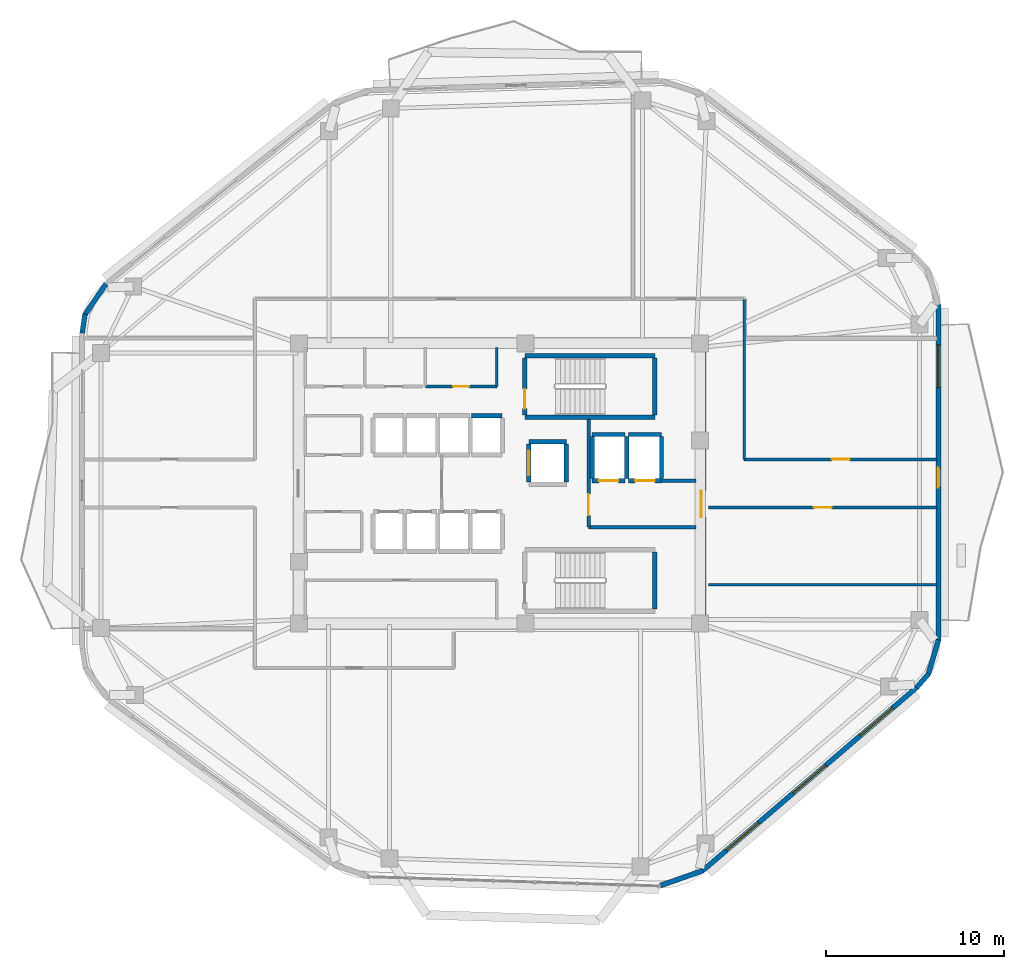
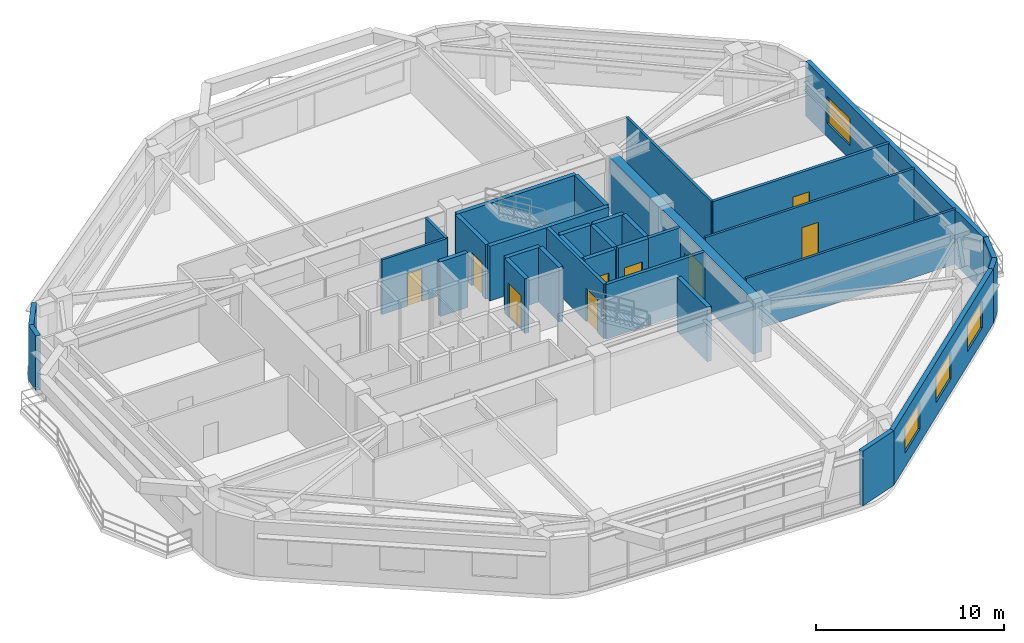
# One storey, part 9 of 12: 33 walls, 10 doors, 4 windows, 14 openings.
"""IFC4 building model written with IfcOpenShell, lengths in metres."""

from ifc_helpers import new_model, si_unit, direction, frame, frame_2d, origin, place, context, subcontext, project, spatial, rectangle, extrude, material, layer, layer_set, type_object, element, fill, save


model = new_model("IFC4")

# Units and contexts
model_context = context("Model", 3, precision=1e-05, world=origin(), true_north=direction((0.0, 1.0)))
body_context = subcontext(model_context, "Body", "Model", "MODEL_VIEW")
ifc_project = project(units=[si_unit("LENGTHUNIT", "METRE"), si_unit("AREAUNIT", "SQUARE_METRE"), si_unit("VOLUMEUNIT", "CUBIC_METRE"), si_unit("PLANEANGLEUNIT", "RADIAN"), si_unit("MASSUNIT", "GRAM", prefix="KILO")], contexts=[model_context])

# Site, building, storey
site_placement = place(None, origin())
site = spatial("IfcSite", under=ifc_project, at=site_placement, CompositionType="ELEMENT")
building_placement = place(site_placement, origin())
building = spatial("IfcBuilding", under=site, at=building_placement, Name="Zulverin Broadcast Headquarters", CompositionType="ELEMENT")
storey_placement = place(building_placement, frame((0.0, 0.0, 185.800048828125)))
storey = spatial("IfcBuildingStorey", under=building, at=storey_placement, Name="L47", CompositionType="ELEMENT", Elevation=185.800048828125)

# Wall, opening, door
ifc_material_1 = material(Name="Concrete C60/75", Category="concrete")
ifc_layer_1 = layer(ifc_material_1, 0.550048828125, Name="Concrete C60/75", Category="concrete")
ifc_layer_set_1 = layer_set([ifc_layer_1], Name="Concrete C60/75")
wall_type_1 = type_object("IfcWallType", Name="WL-CORE-550", PredefinedType="SHEAR", material=ifc_layer_set_1)
wall_1_placement = place(storey_placement, frame((48.324951171875, 17.550048828125, 0.0), z_axis=(0.0, 0.0, 1.0), x_axis=(0.0, 1.0, 0.0)))
wall_1 = element("IfcWall", 1, at=wall_1_placement, inside=storey, type_object=wall_type_1, Name="L47 Core East Shear Wall", PredefinedType="SHEAR", context=body_context, shape_type="SweptSolid", body=[
    extrude(rectangle(XDim=15.300048828125, YDim=0.550048828125, at=frame_2d((7.64990234375, 0.0))), origin(), (0.0, 0.0, 1.0), 3.5400390625),
])
opening_1_placement = place(wall_1_placement, frame((5.75, 0.0, 0.0)))
opening_1 = element("IfcOpeningElement", 2, at=opening_1_placement, cuts=wall_1, Name="Opening D-L47-CE1", PredefinedType="OPENING", context=body_context, shape_type="SweptSolid", body=[
    extrude(rectangle(XDim=1.5, YDim=2.14990234375, at=frame_2d((0.75, 1.074951171875))), frame((0.0, 0.284912109375, 0.0), z_axis=(0.0, -1.0, 0.0), x_axis=(1.0, 0.0, 0.0)), (0.0, 0.0, 1.0), 0.570068359375),
])
ifc_material_2 = material(Name="Fire-rated glazed steel frame", Category="steel")
door_type_1 = type_object("IfcDoorType", Name="DR-COR-1500", OperationType="DOUBLE_DOOR_SINGLE_SWING", PredefinedType="DOOR", material=ifc_material_2)
door_1_placement = place(opening_1_placement, origin())
door_1 = element("IfcDoor", 3, at=door_1_placement, inside=storey, type_object=door_type_1, Name="L47 Firefighting Lobby East Corridor Door", OperationType="DOUBLE_DOOR_SINGLE_SWING", OverallHeight=2.14990234375, OverallWidth=1.5, PredefinedType="DOOR", context=body_context, shape_type="SweptSolid", body=[
    extrude(rectangle(XDim=1.5, YDim=2.14990234375, at=frame_2d((0.75, 1.074951171875))), frame((0.0, 0.02490234375, 0.0), z_axis=(0.0, -1.0, 0.0), x_axis=(1.0, 0.0, 0.0)), (0.0, 0.0, 1.0), 0.050048828125),
])
fill(opening_1, door_1)

# Wall, openings, windows
ifc_material_3 = material(Name="Insulated pale-metal clad concrete spandrel C40/50", Category="concrete")
ifc_layer_2 = layer(ifc_material_3, 0.280029296875, Name="Insulated pale-metal clad concrete spandrel C40/50", Category="concrete")
ifc_layer_set_2 = layer_set([ifc_layer_2], Name="Insulated pale-metal clad concrete spandrel C40/50")
wall_type_2 = type_object("IfcWallType", Name="WL-EXT-280", PredefinedType="STANDARD", material=ifc_layer_set_2)
wall_2_placement = place(storey_placement, frame((48.38525390625, 3.413818359375, 0.0), z_axis=(0.0, 0.0, 1.0), x_axis=(0.759700260779, 0.650273414628, 0.0)))
wall_2 = element("IfcWall", 4, at=wall_2_placement, inside=storey, type_object=wall_type_2, Name="L47 Pale-Metal Clad Spandrel Wall 2", PredefinedType="STANDARD", context=body_context, shape_type="SweptSolid", body=[
    extrude(rectangle(XDim=15.880859375, YDim=0.280029296875, at=frame_2d((7.9404296875, 0.0))), origin(), (0.0, 0.0, 1.0), 3.5400390625),
])
opening_2_placement = place(wall_2_placement, frame((1.780029296875, 0.0, 0.89990234375)))
opening_2 = element("IfcOpeningElement", 5, at=opening_2_placement, cuts=wall_2, Name="Opening W-L47-E21", PredefinedType="OPENING", context=body_context, shape_type="SweptSolid", body=[
    extrude(rectangle(XDim=2.39990234375, YDim=1.75, at=frame_2d((1.199951171875, 0.875))), frame((0.0, 0.14990234375, 0.0), z_axis=(0.0, -1.0, 0.0), x_axis=(1.0, 0.0, 0.0)), (0.0, 0.0, 1.0), 0.300048828125),
])
opening_3_placement = place(wall_2_placement, frame((6.740478515625, 0.0, 0.89990234375)))
opening_3 = element("IfcOpeningElement", 6, at=opening_3_placement, cuts=wall_2, Name="Opening W-L47-E22", PredefinedType="OPENING", context=body_context, shape_type="SweptSolid", body=[
    extrude(rectangle(XDim=2.39990234375, YDim=1.75, at=frame_2d((1.199951171875, 0.875))), frame((0.0, 0.14990234375, 0.0), z_axis=(0.0, -1.0, 0.0), x_axis=(1.0, 0.0, 0.0)), (0.0, 0.0, 1.0), 0.300048828125),
])
opening_4_placement = place(wall_2_placement, frame((11.70068359375, 0.0, 0.89990234375)))
opening_4 = element("IfcOpeningElement", 7, at=opening_4_placement, cuts=wall_2, Name="Opening W-L47-E23", PredefinedType="OPENING", context=body_context, shape_type="SweptSolid", body=[
    extrude(rectangle(XDim=2.39990234375, YDim=1.75, at=frame_2d((1.199951171875, 0.875))), frame((0.0, 0.14990234375, 0.0), z_axis=(0.0, -1.0, 0.0), x_axis=(1.0, 0.0, 0.0)), (0.0, 0.0, 1.0), 0.300048828125),
])
ifc_material_4 = material(Name="Pale anodized aluminium frame with solar-control low-E double glazing", Category="aluminium")
window_type = type_object("IfcWindowType", Name="WIN-RIB-2400", PartitioningType="SINGLE_PANEL", PredefinedType="WINDOW", material=ifc_material_4)
window_1_placement = place(opening_2_placement, origin())
window_1 = element("IfcWindow", 8, at=window_1_placement, inside=storey, type_object=window_type, Name="L47 Ribbon Glazing Window 2 1", OverallHeight=1.75, OverallWidth=2.39990234375, PartitioningType="SINGLE_PANEL", PredefinedType="WINDOW", context=body_context, shape_type="SweptSolid", body=[
    extrude(rectangle(XDim=2.39990234375, YDim=1.75, at=frame_2d((1.199951171875, 0.875))), frame((0.0, 0.030029296875, 0.0), z_axis=(0.0, -1.0, 0.0), x_axis=(1.0, 0.0, 0.0)), (0.0, 0.0, 1.0), 0.06005859375),
])
fill(opening_2, window_1)
window_2_placement = place(opening_3_placement, origin())
window_2 = element("IfcWindow", 9, at=window_2_placement, inside=storey, type_object=window_type, Name="L47 Ribbon Glazing Window 2 2", OverallHeight=1.75, OverallWidth=2.39990234375, PartitioningType="SINGLE_PANEL", PredefinedType="WINDOW", context=body_context, shape_type="SweptSolid", body=[
    extrude(rectangle(XDim=2.39990234375, YDim=1.75, at=frame_2d((1.199951171875, 0.875))), frame((0.0, 0.030029296875, 0.0), z_axis=(0.0, -1.0, 0.0), x_axis=(1.0, 0.0, 0.0)), (0.0, 0.0, 1.0), 0.06005859375),
])
fill(opening_3, window_2)
window_3_placement = place(opening_4_placement, origin())
window_3 = element("IfcWindow", 10, at=window_3_placement, inside=storey, type_object=window_type, Name="L47 Ribbon Glazing Window 2 3", OverallHeight=1.75, OverallWidth=2.39990234375, PartitioningType="SINGLE_PANEL", PredefinedType="WINDOW", context=body_context, shape_type="SweptSolid", body=[
    extrude(rectangle(XDim=2.39990234375, YDim=1.75, at=frame_2d((1.199951171875, 0.875))), frame((0.0, 0.030029296875, 0.0), z_axis=(0.0, -1.0, 0.0), x_axis=(1.0, 0.0, 0.0)), (0.0, 0.0, 1.0), 0.06005859375),
])
fill(opening_4, window_3)

# Wall, openings, door, window
wall_3_placement = place(storey_placement, frame((61.659912109375, 16.369384765625, 0.0), z_axis=(0.0, 0.0, 1.0), x_axis=(0.0, 1.0, 0.0)))
wall_3 = element("IfcWall", 11, at=wall_3_placement, inside=storey, type_object=wall_type_2, Name="L47 Pale-Metal Clad Spandrel Wall 3", PredefinedType="STANDARD", context=body_context, shape_type="SweptSolid", body=[
    extrude(rectangle(XDim=18.902099609375, YDim=0.280029296875, at=frame_2d((9.451171875, 0.0))), origin(), (0.0, 0.0, 1.0), 3.5400390625),
])
opening_5_placement = place(wall_3_placement, frame((8.60107421875, 0.0, 0.0)))
opening_5 = element("IfcOpeningElement", 12, at=opening_5_placement, cuts=wall_3, Name="Opening D-L47-TR3", PredefinedType="OPENING", context=body_context, shape_type="SweptSolid", body=[
    extrude(rectangle(XDim=1.10009765625, YDim=2.199951171875, at=frame_2d((0.550048828125, 1.10009765625))), frame((0.0, 0.14990234375, 0.0), z_axis=(0.0, -1.0, 0.0), x_axis=(1.0, 0.0, 0.0)), (0.0, 0.0, 1.0), 0.300048828125),
])
opening_6_placement = place(wall_3_placement, frame((14.218505859375, 0.0, 0.89990234375)))
opening_6 = element("IfcOpeningElement", 13, at=opening_6_placement, cuts=wall_3, Name="Opening W-L47-E31", PredefinedType="OPENING", context=body_context, shape_type="SweptSolid", body=[
    extrude(rectangle(XDim=2.39990234375, YDim=1.75, at=frame_2d((1.199951171875, 0.875))), frame((0.0, 0.14990234375, 0.0), z_axis=(0.0, -1.0, 0.0), x_axis=(1.0, 0.0, 0.0)), (0.0, 0.0, 1.0), 0.300048828125),
])
ifc_material_5 = material(Name="Thermally broken aluminium glazed", Category="aluminium")
door_type_2 = type_object("IfcDoorType", Name="DR-TERR-1100", OperationType="SINGLE_SWING_RIGHT", PredefinedType="DOOR", material=ifc_material_5)
door_2_placement = place(opening_5_placement, origin())
door_2 = element("IfcDoor", 14, at=door_2_placement, inside=storey, type_object=door_type_2, Name="L47 Planted Terrace Glazed Access Door 3", OperationType="SINGLE_SWING_RIGHT", OverallHeight=2.199951171875, OverallWidth=1.10009765625, PredefinedType="DOOR", context=body_context, shape_type="SweptSolid", body=[
    extrude(rectangle(XDim=1.10009765625, YDim=2.199951171875, at=frame_2d((0.550048828125, 1.10009765625))), frame((0.0, 0.02490234375, 0.0), z_axis=(0.0, -1.0, 0.0), x_axis=(1.0, 0.0, 0.0)), (0.0, 0.0, 1.0), 0.050048828125),
])
fill(opening_5, door_2)
window_4_placement = place(opening_6_placement, origin())
window_4 = element("IfcWindow", 15, at=window_4_placement, inside=storey, type_object=window_type, Name="L47 Ribbon Glazing Window 3 1", OverallHeight=1.75, OverallWidth=2.39990234375, PartitioningType="SINGLE_PANEL", PredefinedType="WINDOW", context=body_context, shape_type="SweptSolid", body=[
    extrude(rectangle(XDim=2.39990234375, YDim=1.75, at=frame_2d((1.199951171875, 0.875))), frame((0.0, 0.030029296875, 0.0), z_axis=(0.0, -1.0, 0.0), x_axis=(1.0, 0.0, 0.0)), (0.0, 0.0, 1.0), 0.06005859375),
])
fill(opening_6, window_4)

# Walls
wall_4_placement = place(storey_placement, frame((46.035888671875, 2.597900390625, 0.0), z_axis=(0.0, 0.0, 1.0), x_axis=(0.943369834473, 0.331742905585, 0.0)))
element("IfcWall", 16, at=wall_4_placement, inside=storey, type_object=wall_type_2, Name="L47 Wind-Shaped Corner Spandrel Wall 1-1", PredefinedType="STANDARD", context=body_context, shape_type="SweptSolid", body=[
    extrude(rectangle(XDim=2.53759765625, YDim=0.280029296875, at=frame_2d((1.268798828125, 0.0))), origin(), (0.0, 0.0, 1.0), 3.5400390625),
])
wall_5_placement = place(storey_placement, frame((60.435791015625, 13.7265625, 0.0), z_axis=(0.0, 0.0, 1.0), x_axis=(0.658571618609, 0.752518055041, 0.0)))
element("IfcWall", 17, at=wall_5_placement, inside=storey, type_object=wall_type_2, Name="L47 Wind-Shaped Corner Spandrel Wall 2-1", PredefinedType="STANDARD", context=body_context, shape_type="SweptSolid", body=[
    extrude(rectangle(XDim=1.03173828125, YDim=0.280029296875, at=frame_2d((0.515869140625, 0.0))), origin(), (0.0, 0.0, 1.0), 3.5400390625),
])
wall_6_placement = place(storey_placement, frame((61.08642578125, 14.450439453125, 0.0), z_axis=(0.0, 0.0, 1.0), x_axis=(0.283660953453, 0.958924639107, 0.0)))
element("IfcWall", 18, at=wall_6_placement, inside=storey, type_object=wall_type_2, Name="L47 Wind-Shaped Corner Spandrel Wall 2-2", PredefinedType="STANDARD", context=body_context, shape_type="SweptSolid", body=[
    extrude(rectangle(XDim=2.04248046875, YDim=0.280029296875, at=frame_2d((1.021240234375, 0.0))), origin(), (0.0, 0.0, 1.0), 3.5400390625),
])
wall_7_placement = place(storey_placement, frame((14.877685546875, 36.4140625, 0.0), z_axis=(0.0, 0.0, 1.0), x_axis=(-0.564564614133, -0.825388875906, 0.0)))
element("IfcWall", 19, at=wall_7_placement, inside=storey, type_object=wall_type_2, Name="L47 Wind-Shaped Corner Spandrel Wall 6-1", PredefinedType="STANDARD", context=body_context, shape_type="SweptSolid", body=[
    extrude(rectangle(XDim=2.127685546875, YDim=0.280029296875, at=frame_2d((1.06396484375, 0.0))), origin(), (0.0, 0.0, 1.0), 3.5400390625),
])
wall_8_placement = place(storey_placement, frame((13.69921875, 34.716064453125, 0.0), z_axis=(0.0, 0.0, 1.0), x_axis=(-0.149549920187, -0.988754176412, 0.0)))
element("IfcWall", 20, at=wall_8_placement, inside=storey, type_object=wall_type_2, Name="L47 Wind-Shaped Corner Spandrel Wall 6-2", PredefinedType="STANDARD", context=body_context, shape_type="SweptSolid", body=[
    extrude(rectangle(XDim=1.075927734375, YDim=0.280029296875, at=frame_2d((0.5380859375, 0.0))), origin(), (0.0, 0.0, 1.0), 3.5400390625),
])

# Wall, opening, door
ifc_material_6 = material(Name="Concrete C40/50", Category="concrete")
ifc_layer_3 = layer(ifc_material_6, 0.199951171875, Name="Concrete C40/50", Category="concrete")
ifc_layer_set_3 = layer_set([ifc_layer_3], Name="Concrete C40/50")
wall_type_3 = type_object("IfcWallType", Name="WL-FFL-200", PredefinedType="SOLIDWALL", material=ifc_layer_set_3)
wall_9_placement = place(storey_placement, frame((42.0, 22.75, 0.0), z_axis=(0.0, 0.0, 1.0), x_axis=(0.0, 1.0, 0.0)))
wall_9 = element("IfcWall", 21, at=wall_9_placement, inside=storey, type_object=wall_type_3, Name="L47 Firefighting Lift Lobby West Wall", PredefinedType="SOLIDWALL", context=body_context, shape_type="SweptSolid", body=[
    extrude(rectangle(XDim=6.050048828125, YDim=0.199951171875, at=frame_2d((3.02490234375, 0.0))), origin(), (0.0, 0.0, 1.0), 3.5400390625),
])
opening_7_placement = place(wall_9_placement, frame((0.64990234375, 0.0, 0.0)))
opening_7 = element("IfcOpeningElement", 22, at=opening_7_placement, cuts=wall_9, Name="Opening D-L47-FFLW", PredefinedType="OPENING", context=body_context, shape_type="SweptSolid", body=[
    extrude(rectangle(XDim=1.199951171875, YDim=2.14990234375, at=frame_2d((0.60009765625, 1.074951171875))), frame((0.0, 0.10986328125, 0.0), z_axis=(0.0, -1.0, 0.0), x_axis=(1.0, 0.0, 0.0)), (0.0, 0.0, 1.0), 0.219970703125),
])
ifc_material_7 = material(Name="Fire-rated steel leaf and frame", Category="steel")
door_type_3 = type_object("IfcDoorType", Name="DR-FFL-1200", OperationType="SINGLE_SWING_RIGHT", PredefinedType="DOOR", material=ifc_material_7)
door_3_placement = place(opening_7_placement, origin())
door_3 = element("IfcDoor", 23, at=door_3_placement, inside=storey, type_object=door_type_3, Name="L47 Firefighting Lift Lobby Door", OperationType="SINGLE_SWING_RIGHT", OverallHeight=2.14990234375, OverallWidth=1.199951171875, PredefinedType="DOOR", context=body_context, shape_type="SweptSolid", body=[
    extrude(rectangle(XDim=1.199951171875, YDim=2.14990234375, at=frame_2d((0.60009765625, 1.074951171875))), frame((0.0, 0.02490234375, 0.0), z_axis=(0.0, -1.0, 0.0), x_axis=(1.0, 0.0, 0.0)), (0.0, 0.0, 1.0), 0.050048828125),
])
fill(opening_7, door_3)

# Walls
wall_10_placement = place(storey_placement, frame((42.0, 22.75, 0.0), z_axis=(0.0, 0.0, 1.0), x_axis=(1.0, 0.0, 0.0)))
element("IfcWall", 24, at=wall_10_placement, inside=storey, type_object=wall_type_3, Name="L47 Firefighting Lift Lobby South Wall", PredefinedType="SOLIDWALL", context=body_context, shape_type="SweptSolid", body=[
    extrude(rectangle(XDim=6.050048828125, YDim=0.199951171875, at=frame_2d((3.02490234375, 0.0))), origin(), (0.0, 0.0, 1.0), 3.5400390625),
])
wall_11_placement = place(storey_placement, frame((46.10009765625, 25.35009765625, 0.0), z_axis=(0.0, 0.0, 1.0), x_axis=(1.0, 0.0, 0.0)))
element("IfcWall", 25, at=wall_11_placement, inside=storey, type_object=wall_type_3, Name="L47 Firefighting Lift Lobby North Wall", PredefinedType="SOLIDWALL", context=body_context, shape_type="SweptSolid", body=[
    extrude(rectangle(XDim=1.949951171875, YDim=0.199951171875, at=frame_2d((0.97509765625, 0.0))), origin(), (0.0, 0.0, 1.0), 3.5400390625),
])

# Wall, opening, door
ifc_material_8 = material(Name="Fire-rated gypsum stud partition", Category="gypsum")
ifc_layer_4 = layer(ifc_material_8, 0.14990234375, Name="Fire-rated gypsum stud partition", Category="gypsum")
ifc_layer_set_4 = layer_set([ifc_layer_4], Name="Fire-rated gypsum stud partition")
wall_type_4 = type_object("IfcWallType", Name="WL-PART-150", PredefinedType="PARTITIONING", material=ifc_layer_set_4)
wall_12_placement = place(storey_placement, frame((32.830078125, 30.64990234375, 0.0), z_axis=(0.0, 0.0, 1.0), x_axis=(1.0, 0.0, 0.0)))
wall_12 = element("IfcWall", 26, at=wall_12_placement, inside=storey, type_object=wall_type_4, Name="L47 Core Electrical Switch Riser Front Wall", PredefinedType="PARTITIONING", context=body_context, shape_type="SweptSolid", body=[
    extrude(rectangle(XDim=4.02001953125, YDim=0.14990234375, at=frame_2d((2.010009765625, 0.0))), origin(), (0.0, 0.0, 1.0), 3.5400390625),
])
opening_8_placement = place(wall_12_placement, frame((1.56005859375, 0.0, 0.0)))
opening_8 = element("IfcOpeningElement", 27, at=opening_8_placement, cuts=wall_12, Name="Opening D-L47-NC3", PredefinedType="OPENING", context=body_context, shape_type="SweptSolid", body=[
    extrude(rectangle(XDim=0.89990234375, YDim=2.10009765625, at=frame_2d((0.449951171875, 1.050048828125))), frame((0.0, 0.0849609375, 0.0), z_axis=(0.0, -1.0, 0.0), x_axis=(1.0, 0.0, 0.0)), (0.0, 0.0, 1.0), 0.169921875),
])
ifc_material_9 = material(Name="Powder-coated steel access leaf", Category="steel")
door_type_4 = type_object("IfcDoorType", Name="DR-RISER-900", OperationType="SINGLE_SWING_LEFT", PredefinedType="DOOR", material=ifc_material_9)
door_4_placement = place(opening_8_placement, origin())
door_4 = element("IfcDoor", 28, at=door_4_placement, inside=storey, type_object=door_type_4, Name="L47 Electrical Switch Riser Door", OperationType="SINGLE_SWING_LEFT", OverallHeight=2.10009765625, OverallWidth=0.89990234375, PredefinedType="DOOR", context=body_context, shape_type="SweptSolid", body=[
    extrude(rectangle(XDim=0.89990234375, YDim=2.10009765625, at=frame_2d((0.449951171875, 1.050048828125))), frame((0.0, 0.02490234375, 0.0), z_axis=(0.0, -1.0, 0.0), x_axis=(1.0, 0.0, 0.0)), (0.0, 0.0, 1.0), 0.050048828125),
])
fill(opening_8, door_4)

# Walls
wall_13_placement = place(storey_placement, frame((36.85009765625, 30.64990234375, 0.0), z_axis=(0.0, 0.0, 1.0), x_axis=(0.0, 1.0, 0.0)))
element("IfcWall", 29, at=wall_13_placement, inside=storey, type_object=wall_type_4, Name="L47 Core Electrical Switch Riser East Wall", PredefinedType="PARTITIONING", context=body_context, shape_type="SweptSolid", body=[
    extrude(rectangle(XDim=2.2001953125, YDim=0.14990234375, at=frame_2d((1.10009765625, 0.0))), origin(), (0.0, 0.0, 1.0), 3.5400390625),
])
wall_14_placement = place(storey_placement, frame((50.75, 26.550048828125, 0.0), z_axis=(0.0, 0.0, 1.0), x_axis=(0.0, 1.0, 0.0)))
element("IfcWall", 30, at=wall_14_placement, inside=storey, type_object=wall_type_4, Name="L47 Gallery Partition Wall CG-01", PredefinedType="PARTITIONING", context=body_context, shape_type="SweptSolid", body=[
    extrude(rectangle(XDim=9.0, YDim=0.14990234375, at=frame_2d((4.5, 0.0))), origin(), (0.0, 0.0, 1.0), 3.5400390625),
])
wall_15_placement = place(storey_placement, frame((48.739990234375, 19.5, 0.0), z_axis=(0.0, 0.0, 1.0), x_axis=(1.0, 0.0, 0.0)))
element("IfcWall", 31, at=wall_15_placement, inside=storey, type_object=wall_type_4, Name="L47 Room Partition Wall RP-08", PredefinedType="PARTITIONING", context=body_context, shape_type="SweptSolid", body=[
    extrude(rectangle(XDim=12.85498046875, YDim=0.14990234375, at=frame_2d((6.427490234375, 0.0))), origin(), (0.0, 0.0, 1.0), 3.5400390625),
])

# Wall, opening, door
wall_16_placement = place(storey_placement, frame((48.739990234375, 23.85009765625, 0.0), z_axis=(0.0, 0.0, 1.0), x_axis=(1.0, 0.0, 0.0)))
wall_16 = element("IfcWall", 32, at=wall_16_placement, inside=storey, type_object=wall_type_4, Name="L47 Gallery Partition Wall CG-10", PredefinedType="PARTITIONING", context=body_context, shape_type="SweptSolid", body=[
    extrude(rectangle(XDim=12.85498046875, YDim=0.14990234375, at=frame_2d((6.427490234375, 0.0))), origin(), (0.0, 0.0, 1.0), 3.5400390625),
])
opening_9_placement = place(wall_16_placement, frame((5.927490234375, 0.0, 0.0)))
opening_9 = element("IfcOpeningElement", 33, at=opening_9_placement, cuts=wall_16, Name="Opening D-L47-06", PredefinedType="OPENING", context=body_context, shape_type="SweptSolid", body=[
    extrude(rectangle(XDim=1.0, YDim=2.1201171875, at=frame_2d((0.5, 1.06005859375))), frame((0.0, 0.0849609375, 0.0), z_axis=(0.0, -1.0, 0.0), x_axis=(1.0, 0.0, 0.0)), (0.0, 0.0, 1.0), 0.169921875),
])
ifc_material_10 = material(Name="Hardwood veneer acoustic leaf", Category="wood")
door_type_5 = type_object("IfcDoorType", Name="DR-OFF-1000", OperationType="SINGLE_SWING_LEFT", PredefinedType="DOOR", material=ifc_material_10)
door_5_placement = place(opening_9_placement, origin())
door_5 = element("IfcDoor", 34, at=door_5_placement, inside=storey, type_object=door_type_5, Name="L47 Weather & Climate Office Door", OperationType="SINGLE_SWING_LEFT", OverallHeight=2.1201171875, OverallWidth=1.0, PredefinedType="DOOR", context=body_context, shape_type="SweptSolid", body=[
    extrude(rectangle(XDim=1.0, YDim=2.1201171875, at=frame_2d((0.5, 1.06005859375))), frame((0.0, 0.02490234375, 0.0), z_axis=(0.0, -1.0, 0.0), x_axis=(1.0, 0.0, 0.0)), (0.0, 0.0, 1.0), 0.050048828125),
])
fill(opening_9, door_5)

ifc_material_11 = material(Name="Fire-rated acoustic stud wall", Category="gypsum")
ifc_layer_5 = layer(ifc_material_11, 0.175048828125, Name="Fire-rated acoustic stud wall", Category="gypsum")
ifc_layer_set_5 = layer_set([ifc_layer_5], Name="Fire-rated acoustic stud wall")
wall_type_5 = type_object("IfcWallType", Name="WL-PART-175", PredefinedType="PARTITIONING", material=ifc_layer_set_5)
wall_17_placement = place(storey_placement, frame((50.75, 26.550048828125, 0.0), z_axis=(0.0, 0.0, 1.0), x_axis=(1.0, 0.0, 0.0)))
wall_17 = element("IfcWall", 35, at=wall_17_placement, inside=storey, type_object=wall_type_5, Name="L47 Gallery Partition Wall CG-12", PredefinedType="PARTITIONING", context=body_context, shape_type="SweptSolid", body=[
    extrude(rectangle(XDim=10.844970703125, YDim=0.175048828125, at=frame_2d((5.42236328125, 0.0))), origin(), (0.0, 0.0, 1.0), 3.5400390625),
])
opening_10_placement = place(wall_17_placement, frame((4.922607421875, 0.0, 0.0)))
opening_10 = element("IfcOpeningElement", 36, at=opening_10_placement, cuts=wall_17, Name="Opening D-L47-07", PredefinedType="OPENING", context=body_context, shape_type="SweptSolid", body=[
    extrude(rectangle(XDim=1.0, YDim=2.1201171875, at=frame_2d((0.5, 1.06005859375))), frame((0.0, 0.097412109375, 0.0), z_axis=(0.0, -1.0, 0.0), x_axis=(1.0, 0.0, 0.0)), (0.0, 0.0, 1.0), 0.195068359375),
])
door_6_placement = place(opening_10_placement, origin())
door_6 = element("IfcDoor", 37, at=door_6_placement, inside=storey, type_object=door_type_5, Name="L47 Data Journalism Open Workplace Door", OperationType="SINGLE_SWING_RIGHT", OverallHeight=2.1201171875, OverallWidth=1.0, PredefinedType="DOOR", context=body_context, shape_type="SweptSolid", body=[
    extrude(rectangle(XDim=1.0, YDim=2.1201171875, at=frame_2d((0.5, 1.06005859375))), frame((0.0, 0.02490234375, 0.0), z_axis=(0.0, -1.0, 0.0), x_axis=(1.0, 0.0, 0.0)), (0.0, 0.0, 1.0), 0.050048828125),
])
fill(opening_10, door_6)

# Walls
ifc_material_12 = material(Name="Concrete C50/60", Category="concrete")
ifc_layer_6 = layer(ifc_material_12, 0.25, Name="Concrete C50/60", Category="concrete")
ifc_layer_set_6 = layer_set([ifc_layer_6], Name="Concrete C50/60")
wall_type_6 = type_object("IfcWallType", Name="WL-SHAFT-250", PredefinedType="SHEAR", material=ifc_layer_set_6)
for number, where, z_axis, x_axis, name in (
    (38, (38.425048828125, 28.925048828125, 0.0), (0.0, 0.0, 1.0), (1.0, 0.0, 0.0), "L47 ST-1 Enclosure Wall S"),
    (39, (38.425048828125, 32.375, 0.0), (0.0, 0.0, 1.0), (1.0, 0.0, 0.0), "L47 ST-1 Enclosure Wall N"),
):
    element("IfcWall", number, at=place(storey_placement, frame(where, z_axis=z_axis, x_axis=x_axis)), inside=storey, type_object=wall_type_6, Name=name, PredefinedType="SHEAR", context=body_context, shape_type="SweptSolid", body=[
        extrude(rectangle(XDim=7.300048828125, YDim=0.25, at=frame_2d((3.64990234375, 0.0))), origin(), (0.0, 0.0, 1.0), 3.5400390625),
    ])

# Wall, opening, door
wall_18_placement = place(storey_placement, frame((38.425048828125, 29.050048828125, 0.0), z_axis=(0.0, 0.0, 1.0), x_axis=(0.0, 1.0, 0.0)))
wall_18 = element("IfcWall", 40, at=wall_18_placement, inside=storey, type_object=wall_type_6, Name="L47 ST-1 Enclosure Wall W", PredefinedType="SHEAR", context=body_context, shape_type="SweptSolid", body=[
    extrude(rectangle(XDim=3.199951171875, YDim=0.25, at=frame_2d((1.60009765625, 0.0))), origin(), (0.0, 0.0, 1.0), 3.5400390625),
])
opening_11_placement = place(wall_18_placement, frame((0.35009765625, 0.0, 0.0)))
opening_11 = element("IfcOpeningElement", 41, at=opening_11_placement, cuts=wall_18, Name="Opening D-L47-ST-1", PredefinedType="OPENING", context=body_context, shape_type="SweptSolid", body=[
    extrude(rectangle(XDim=1.10009765625, YDim=2.14990234375, at=frame_2d((0.550048828125, 1.074951171875))), frame((0.0, 0.135009765625, 0.0), z_axis=(0.0, -1.0, 0.0), x_axis=(1.0, 0.0, 0.0)), (0.0, 0.0, 1.0), 0.27001953125),
])
door_type_6 = type_object("IfcDoorType", Name="DR-STAIR-1100", OperationType="SINGLE_SWING_LEFT", PredefinedType="DOOR", material=ifc_material_7)
door_7_placement = place(opening_11_placement, origin())
door_7 = element("IfcDoor", 42, at=door_7_placement, inside=storey, type_object=door_type_6, Name="L47 Exit Stair ST-1 Fire Door", OperationType="SINGLE_SWING_LEFT", OverallHeight=2.14990234375, OverallWidth=1.10009765625, PredefinedType="DOOR", context=body_context, shape_type="SweptSolid", body=[
    extrude(rectangle(XDim=1.10009765625, YDim=2.14990234375, at=frame_2d((0.550048828125, 1.074951171875))), frame((0.0, 0.02490234375, 0.0), z_axis=(0.0, -1.0, 0.0), x_axis=(1.0, 0.0, 0.0)), (0.0, 0.0, 1.0), 0.050048828125),
])
fill(opening_11, door_7)

# Walls
wall_19_placement = place(storey_placement, frame((45.72509765625, 29.050048828125, 0.0), z_axis=(0.0, 0.0, 1.0), x_axis=(0.0, 1.0, 0.0)))
element("IfcWall", 43, at=wall_19_placement, inside=storey, type_object=wall_type_6, Name="L47 ST-1 Enclosure Wall E", PredefinedType="SHEAR", context=body_context, shape_type="SweptSolid", body=[
    extrude(rectangle(XDim=3.199951171875, YDim=0.25, at=frame_2d((1.60009765625, 0.0))), origin(), (0.0, 0.0, 1.0), 3.5400390625),
])
wall_20_placement = place(storey_placement, frame((45.72509765625, 18.14990234375, 0.0), z_axis=(0.0, 0.0, 1.0), x_axis=(0.0, 1.0, 0.0)))
element("IfcWall", 44, at=wall_20_placement, inside=storey, type_object=wall_type_6, Name="L47 ST-2 Enclosure Wall E", PredefinedType="SHEAR", context=body_context, shape_type="SweptSolid", body=[
    extrude(rectangle(XDim=3.2001953125, YDim=0.25, at=frame_2d((1.60009765625, 0.0))), origin(), (0.0, 0.0, 1.0), 3.5400390625),
])
wall_21_placement = place(storey_placement, frame((35.419921875, 29.0, 0.0), z_axis=(0.0, 0.0, 1.0), x_axis=(1.0, 0.0, 0.0)))
element("IfcWall", 45, at=wall_21_placement, inside=storey, type_object=wall_type_6, Name="L47 Lift PL-H4 Shaft Wall N", PredefinedType="SHEAR", context=body_context, shape_type="SweptSolid", body=[
    extrude(rectangle(XDim=1.719970703125, YDim=0.25, at=frame_2d((0.85986328125, 0.0))), origin(), (0.0, 0.0, 1.0), 3.5400390625),
])

# Wall, opening, door
wall_22_placement = place(storey_placement, frame((42.199951171875, 25.35009765625, 0.0), z_axis=(0.0, 0.0, 1.0), x_axis=(1.0, 0.0, 0.0)))
wall_22 = element("IfcWall", 46, at=wall_22_placement, inside=storey, type_object=wall_type_6, Name="L47 Lift FFL-1 Shaft Wall S", PredefinedType="SHEAR", context=body_context, shape_type="SweptSolid", body=[
    extrude(rectangle(XDim=1.85009765625, YDim=0.25, at=frame_2d((0.925048828125, 0.0))), origin(), (0.0, 0.0, 1.0), 3.5400390625),
])
opening_12_placement = place(wall_22_placement, frame((0.375, 0.0, 0.0)))
opening_12 = element("IfcOpeningElement", 47, at=opening_12_placement, cuts=wall_22, Name="Opening LD-FFL-1-L47", PredefinedType="OPENING", context=body_context, shape_type="SweptSolid", body=[
    extrude(rectangle(XDim=1.10009765625, YDim=2.14990234375, at=frame_2d((0.550048828125, 1.074951171875))), frame((0.0, 0.135009765625, 0.0), z_axis=(0.0, -1.0, 0.0), x_axis=(1.0, 0.0, 0.0)), (0.0, 0.0, 1.0), 0.27001953125),
])
ifc_material_13 = material(Name="Fire-rated stainless landing door", Category="steel")
door_type_7 = type_object("IfcDoorType", Name="LD-FFL-1100", OperationType="DOUBLE_DOOR_SLIDING", PredefinedType="DOOR", material=ifc_material_13)
door_8_placement = place(opening_12_placement, origin())
door_8 = element("IfcDoor", 48, at=door_8_placement, inside=storey, type_object=door_type_7, Name="L47 Lift FFL-1 Sliding Landing Door", OperationType="DOUBLE_DOOR_SLIDING", OverallHeight=2.14990234375, OverallWidth=1.10009765625, PredefinedType="DOOR", context=body_context, shape_type="SweptSolid", body=[
    extrude(rectangle(XDim=1.10009765625, YDim=2.14990234375, at=frame_2d((0.550048828125, 1.074951171875))), frame((0.0, 0.02490234375, 0.0), z_axis=(0.0, -1.0, 0.0), x_axis=(1.0, 0.0, 0.0)), (0.0, 0.0, 1.0), 0.050048828125),
])
fill(opening_12, door_8)

# Walls
wall_23_placement = place(storey_placement, frame((42.199951171875, 27.949951171875, 0.0), z_axis=(0.0, 0.0, 1.0), x_axis=(1.0, 0.0, 0.0)))
element("IfcWall", 49, at=wall_23_placement, inside=storey, type_object=wall_type_6, Name="L47 Lift FFL-1 Shaft Wall N", PredefinedType="SHEAR", context=body_context, shape_type="SweptSolid", body=[
    extrude(rectangle(XDim=1.85009765625, YDim=0.25, at=frame_2d((0.925048828125, 0.0))), origin(), (0.0, 0.0, 1.0), 3.5400390625),
])
for number, where, z_axis, x_axis, name in (
    (50, (42.199951171875, 25.469970703125, 0.0), (0.0, 0.0, 1.0), (0.0, 1.0, 0.0), "L47 Lift FFL-1 Shaft Wall W"),
    (51, (44.14990234375, 25.469970703125, 0.0), (0.0, 0.0, 1.0), (0.0, 1.0, 0.0), "L47 Lift FFL-1 Shaft Wall E"),
):
    element("IfcWall", number, at=place(storey_placement, frame(where, z_axis=z_axis, x_axis=x_axis)), inside=storey, type_object=wall_type_6, Name=name, PredefinedType="SHEAR", context=body_context, shape_type="SweptSolid", body=[
        extrude(rectangle(XDim=2.360107421875, YDim=0.25, at=frame_2d((1.18017578125, 0.0))), origin(), (0.0, 0.0, 1.0), 3.5400390625),
    ])

# Wall, opening, door
wall_24_placement = place(storey_placement, frame((44.25, 25.35009765625, 0.0), z_axis=(0.0, 0.0, 1.0), x_axis=(1.0, 0.0, 0.0)))
wall_24 = element("IfcWall", 52, at=wall_24_placement, inside=storey, type_object=wall_type_6, Name="L47 Lift FFL-2 Shaft Wall S", PredefinedType="SHEAR", context=body_context, shape_type="SweptSolid", body=[
    extrude(rectangle(XDim=1.85009765625, YDim=0.25, at=frame_2d((0.925048828125, 0.0))), origin(), (0.0, 0.0, 1.0), 3.5400390625),
])
opening_13_placement = place(wall_24_placement, frame((0.375, 0.0, 0.0)))
opening_13 = element("IfcOpeningElement", 53, at=opening_13_placement, cuts=wall_24, Name="Opening LD-FFL-2-L47", PredefinedType="OPENING", context=body_context, shape_type="SweptSolid", body=[
    extrude(rectangle(XDim=1.10009765625, YDim=2.14990234375, at=frame_2d((0.550048828125, 1.074951171875))), frame((0.0, 0.135009765625, 0.0), z_axis=(0.0, -1.0, 0.0), x_axis=(1.0, 0.0, 0.0)), (0.0, 0.0, 1.0), 0.27001953125),
])
door_9_placement = place(opening_13_placement, origin())
door_9 = element("IfcDoor", 54, at=door_9_placement, inside=storey, type_object=door_type_7, Name="L47 Lift FFL-2 Sliding Landing Door", OperationType="DOUBLE_DOOR_SLIDING", OverallHeight=2.14990234375, OverallWidth=1.10009765625, PredefinedType="DOOR", context=body_context, shape_type="SweptSolid", body=[
    extrude(rectangle(XDim=1.10009765625, YDim=2.14990234375, at=frame_2d((0.550048828125, 1.074951171875))), frame((0.0, 0.02490234375, 0.0), z_axis=(0.0, -1.0, 0.0), x_axis=(1.0, 0.0, 0.0)), (0.0, 0.0, 1.0), 0.050048828125),
])
fill(opening_13, door_9)

# Walls
wall_25_placement = place(storey_placement, frame((44.25, 27.949951171875, 0.0), z_axis=(0.0, 0.0, 1.0), x_axis=(1.0, 0.0, 0.0)))
element("IfcWall", 55, at=wall_25_placement, inside=storey, type_object=wall_type_6, Name="L47 Lift FFL-2 Shaft Wall N", PredefinedType="SHEAR", context=body_context, shape_type="SweptSolid", body=[
    extrude(rectangle(XDim=1.85009765625, YDim=0.25, at=frame_2d((0.925048828125, 0.0))), origin(), (0.0, 0.0, 1.0), 3.5400390625),
])
wall_26_placement = place(storey_placement, frame((46.10009765625, 25.469970703125, 0.0), z_axis=(0.0, 0.0, 1.0), x_axis=(0.0, 1.0, 0.0)))
element("IfcWall", 56, at=wall_26_placement, inside=storey, type_object=wall_type_6, Name="L47 Lift FFL-2 Shaft Wall E", PredefinedType="SHEAR", context=body_context, shape_type="SweptSolid", body=[
    extrude(rectangle(XDim=2.360107421875, YDim=0.25, at=frame_2d((1.18017578125, 0.0))), origin(), (0.0, 0.0, 1.0), 3.5400390625),
])
wall_27_placement = place(storey_placement, frame((38.64990234375, 27.550048828125, 0.0), z_axis=(0.0, 0.0, 1.0), x_axis=(1.0, 0.0, 0.0)))
element("IfcWall", 57, at=wall_27_placement, inside=storey, type_object=wall_type_6, Name="L47 Lift SVL-1 Shaft Wall N", PredefinedType="SHEAR", context=body_context, shape_type="SweptSolid", body=[
    extrude(rectangle(XDim=2.10009765625, YDim=0.25, at=frame_2d((1.050048828125, 0.0))), origin(), (0.0, 0.0, 1.0), 3.5400390625),
])

# Wall, opening, door
wall_28_placement = place(storey_placement, frame((38.64990234375, 25.27001953125, 0.0), z_axis=(0.0, 0.0, 1.0), x_axis=(0.0, 1.0, 0.0)))
wall_28 = element("IfcWall", 58, at=wall_28_placement, inside=storey, type_object=wall_type_6, Name="L47 Lift SVL-1 Shaft Wall W", PredefinedType="SHEAR", context=body_context, shape_type="SweptSolid", body=[
    extrude(rectangle(XDim=2.159912109375, YDim=0.25, at=frame_2d((1.080078125, 0.0))), origin(), (0.0, 0.0, 1.0), 3.5400390625),
])
opening_14_placement = place(wall_28_placement, frame((0.3798828125, 0.0, 0.0)))
opening_14 = element("IfcOpeningElement", 59, at=opening_14_placement, cuts=wall_28, Name="Opening LD-SVL-1-L47", PredefinedType="OPENING", context=body_context, shape_type="SweptSolid", body=[
    extrude(rectangle(XDim=1.39990234375, YDim=2.199951171875, at=frame_2d((0.699951171875, 1.10009765625))), frame((0.0, 0.135009765625, 0.0), z_axis=(0.0, -1.0, 0.0), x_axis=(1.0, 0.0, 0.0)), (0.0, 0.0, 1.0), 0.27001953125),
])
ifc_material_14 = material(Name="Heavy-duty stainless landing door", Category="steel")
door_type_8 = type_object("IfcDoorType", Name="LD-GOODS-1400", OperationType="DOUBLE_DOOR_SLIDING", PredefinedType="DOOR", material=ifc_material_14)
door_10_placement = place(opening_14_placement, origin())
door_10 = element("IfcDoor", 60, at=door_10_placement, inside=storey, type_object=door_type_8, Name="L47 Lift SVL-1 Sliding Landing Door", OperationType="DOUBLE_DOOR_SLIDING", OverallHeight=2.199951171875, OverallWidth=1.39990234375, PredefinedType="DOOR", context=body_context, shape_type="SweptSolid", body=[
    extrude(rectangle(XDim=1.39990234375, YDim=2.199951171875, at=frame_2d((0.699951171875, 1.10009765625))), frame((0.0, 0.02490234375, 0.0), z_axis=(0.0, -1.0, 0.0), x_axis=(1.0, 0.0, 0.0)), (0.0, 0.0, 1.0), 0.050048828125),
])
fill(opening_14, door_10)

# Wall
wall_29_placement = place(storey_placement, frame((40.75, 25.27001953125, 0.0), z_axis=(0.0, 0.0, 1.0), x_axis=(0.0, 1.0, 0.0)))
element("IfcWall", 61, at=wall_29_placement, inside=storey, type_object=wall_type_6, Name="L47 Lift SVL-1 Shaft Wall E", PredefinedType="SHEAR", context=body_context, shape_type="SweptSolid", body=[
    extrude(rectangle(XDim=2.159912109375, YDim=0.25, at=frame_2d((1.080078125, 0.0))), origin(), (0.0, 0.0, 1.0), 3.5400390625),
])

save(model, "model.ifc")
